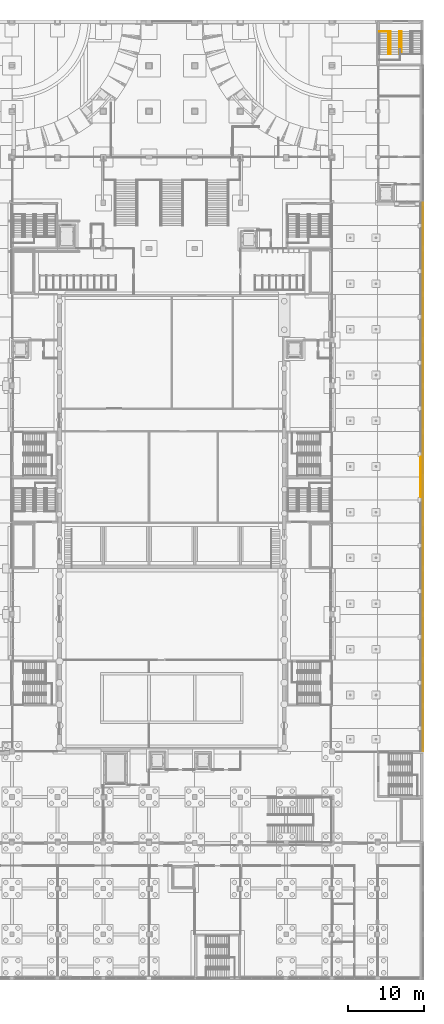
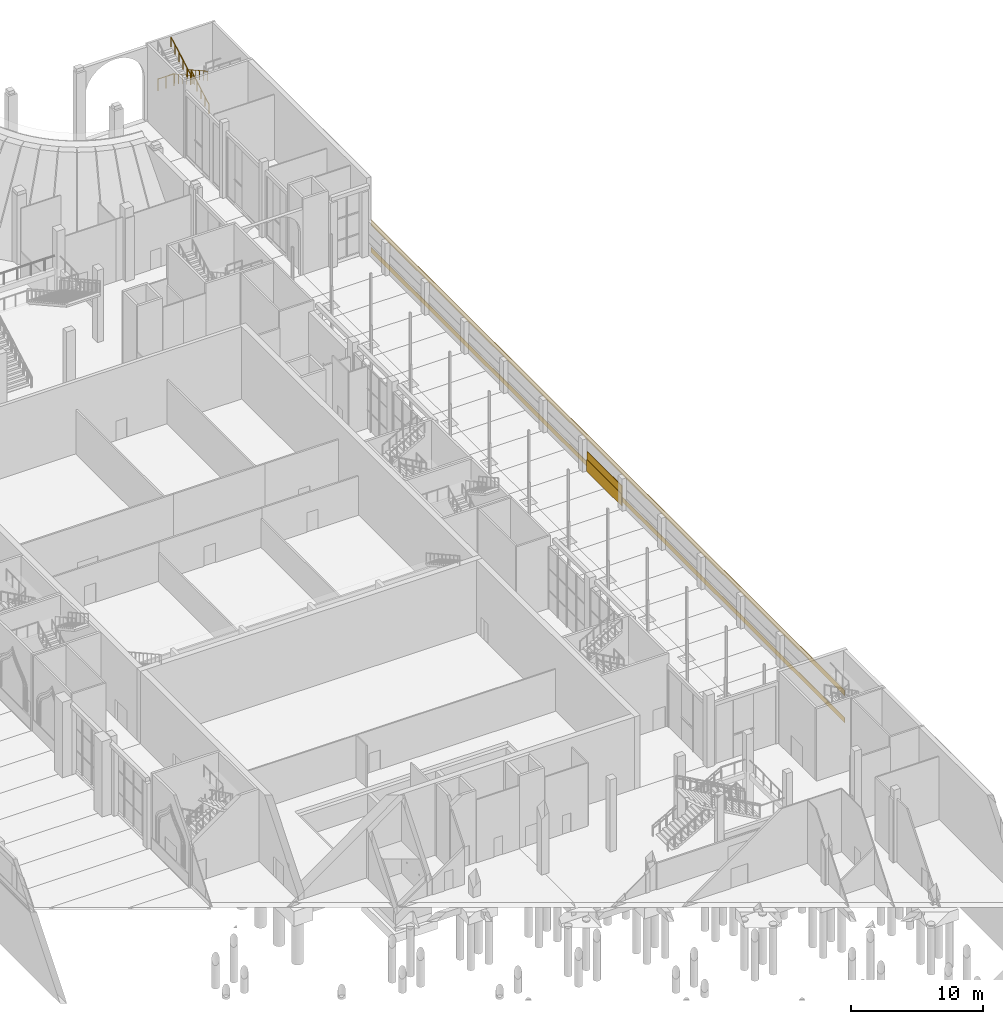
# One storey, part 89 of 95: 5 railings, 4 coverings.
"""IFC4 building model written with IfcOpenShell, lengths in metres."""

from ifc_helpers import new_model, si_unit, direction, frame, origin, origin_2d, place, context, subcontext, project, spatial, rectangle, circle, extrude, material, layer, layer_set, type_object, element, save


model = new_model("IFC4")

# Units and contexts
model_context = context("Model", 3, precision=1e-05, world=origin(), true_north=direction((0.0, 1.0)))
body_context = subcontext(model_context, "Body", "Model", "MODEL_VIEW")
ifc_project = project(units=[si_unit("LENGTHUNIT", "METRE"), si_unit("AREAUNIT", "SQUARE_METRE"), si_unit("VOLUMEUNIT", "CUBIC_METRE"), si_unit("PLANEANGLEUNIT", "RADIAN"), si_unit("MASSUNIT", "GRAM", prefix="KILO")], contexts=[model_context])

# Site, building, storey
site_placement = place(None, origin())
site = spatial("IfcSite", under=ifc_project, at=site_placement, CompositionType="ELEMENT")
building_placement = place(site_placement, origin())
building = spatial("IfcBuilding", under=site, at=building_placement, Name="Saffron Lane Theatres", CompositionType="ELEMENT")
storey_placement = place(building_placement, origin())
storey = spatial("IfcBuildingStorey", under=building, at=storey_placement, Name="L00", CompositionType="ELEMENT", Elevation=0.0)

# Coverings
ifc_material_1 = material(Name="Masonry sandstone", Category="masonry")
ifc_layer_1 = layer(ifc_material_1, 0.0400390625)
ifc_layer_set_1 = layer_set([ifc_layer_1], Name="Masonry sandstone")
covering_type_1 = type_object("IfcCoveringType", Name="EX-BANDING COURSE SANDSTONE 40", PredefinedType="CLADDING", material=ifc_layer_set_1)
covering_1_placement = place(storey_placement, frame((65.669921875, 66.0, 1.10009765625), z_axis=(0.0, 0.0, 1.0), x_axis=(0.0, 1.0, 0.0)))
element("IfcCovering", 1, at=covering_1_placement, inside=storey, type_object=covering_type_1, Name="Banding course L00", PredefinedType="CLADDING", context=body_context, shape_type="SweptSolid", body=[
    extrude(rectangle(XDim=5.300048828125, YDim=0.0400390625, at=origin_2d()), origin(), (0.0, 0.0, 1.0), 0.75),
])
ifc_material_2 = material(Name="Face brick cladding, pale buff", Category="masonry")
ifc_layer_2 = layer(ifc_material_2, 0.0400390625)
ifc_layer_set_2 = layer_set([ifc_layer_2], Name="Face brick cladding, pale buff")
covering_type_2 = type_object("IfcCoveringType", Name="EX-FACE BRICK SKIN PALE BUFF 40", PredefinedType="CLADDING", material=ifc_layer_set_2)
covering_2_placement = place(storey_placement, frame((65.9599609375, 66.0, 0.0), z_axis=(0.0, 0.0, 1.0), x_axis=(0.0, 1.0, 0.0)))
element("IfcCovering", 2, at=covering_2_placement, inside=storey, type_object=covering_type_2, Name="Face brick cladding, pale buff L00", PredefinedType="CLADDING", context=body_context, shape_type="SweptSolid", body=[
    extrude(rectangle(XDim=72.0, YDim=0.0400390625, at=origin_2d()), origin(), (0.0, 0.0, 1.0), 0.449951171875),
])
covering_3_placement = place(storey_placement, frame((65.9599609375, 66.0, 2.5), z_axis=(0.0, 0.0, 1.0), x_axis=(0.0, 1.0, 0.0)))
element("IfcCovering", 3, at=covering_3_placement, inside=storey, type_object=covering_type_2, Name="Face brick cladding, pale buff L00", PredefinedType="CLADDING", context=body_context, shape_type="SweptSolid", body=[
    extrude(rectangle(XDim=72.0, YDim=0.0400390625, at=origin_2d()), origin(), (0.0, 0.0, 1.0), 0.5),
])
ifc_material_3 = material(Name="Masonry sandstone", Category="masonry")
ifc_layer_3 = layer(ifc_material_3, 0.070068359375)
ifc_layer_set_3 = layer_set([ifc_layer_3], Name="Masonry sandstone")
covering_type_3 = type_object("IfcCoveringType", Name="EX-PLINTH COURSE SANDSTONE 70", PredefinedType="CLADDING", material=ifc_layer_set_3)
covering_4_placement = place(storey_placement, frame((65.655029296875, 66.0, 0.0), z_axis=(0.0, 0.0, 1.0), x_axis=(0.0, 1.0, 0.0)))
element("IfcCovering", 4, at=covering_4_placement, inside=storey, type_object=covering_type_3, Name="Plinth course L00", PredefinedType="CLADDING", context=body_context, shape_type="SweptSolid", body=[
    extrude(rectangle(XDim=5.300048828125, YDim=0.070068359375, at=origin_2d()), origin(), (0.0, 0.0, 1.0), 1.10009765625),
])

# Railings
ifc_material_4 = material(Name="Steel Grade 350", Category="steel")
railing_type_1 = type_object("IfcRailingType", Name="VC-GUARD 1100", PredefinedType="GUARDRAIL", material=ifc_material_4)
railing_1_placement = place(storey_placement, frame((61.64990234375, 124.5, 3.333251953125)))
element("IfcRailing", 5, at=railing_1_placement, inside=storey, type_object=railing_type_1, Name="East Wing Street Stair landing guard 1S2e", PredefinedType="GUARDRAIL", context=body_context, shape_type="SweptSolid", body=[
    extrude(circle(Radius=0.02392578125, at=origin_2d()), frame((0.0, 0.0, 1.076171875), z_axis=(-1.0, 0.0, 0.0), x_axis=(0.0, -1.0, 0.0)), (0.0, 0.0, 1.0), 1.419921875),
    extrude(circle(Radius=0.02099609375, at=origin_2d()), origin(), (0.0, 0.0, 1.0), 1.052001953125),
    extrude(circle(Radius=0.02099609375, at=origin_2d()), frame((-0.7099609375, 0.0, 0.0)), (0.0, 0.0, 1.0), 1.052001953125),
    extrude(circle(Radius=0.02099609375, at=origin_2d()), frame((-1.419921875, 0.0, 0.0)), (0.0, 0.0, 1.0), 1.052001953125),
])
ifc_material_5 = material(Name="Steel Grade 350", Category="steel")
railing_type_2 = type_object("IfcRailingType", Name="VC-HANDRAIL 900", PredefinedType="HANDRAIL", material=ifc_material_5)
railing_2_placement = place(storey_placement, frame((63.14990234375, 121.800048828125, 1.833251953125)))
element("IfcRailing", 6, at=railing_2_placement, inside=storey, type_object=railing_type_2, Name="East Wing Street Stair handrail 1.2b", PredefinedType="HANDRAIL", context=body_context, shape_type="SweptSolid", body=[
    extrude(circle(Radius=0.02392578125, at=origin_2d()), frame((0.0, 0.0, 0.8759765625), z_axis=(0.0, 0.874006220275, 0.485914732151), x_axis=(-1.0, 0.0, 0.0)), (0.0, 0.0, 1.0), 0.686279296875),
    extrude(circle(Radius=0.02392578125, at=origin_2d()), frame((0.0, 0.599853515625, 1.20947265625), z_axis=(0.0, 0.874241147926, 0.485491931212), x_axis=(-1.0, 0.0, 0.0)), (0.0, 0.0, 1.0), 0.6865234375),
    extrude(circle(Radius=0.02392578125, at=origin_2d()), frame((0.0, 1.199951171875, 1.54248046875), z_axis=(0.0, 0.874241147926, 0.485491931212), x_axis=(-1.0, 0.0, 0.0)), (0.0, 0.0, 1.0), 0.6865234375),
    extrude(circle(Radius=0.02392578125, at=origin_2d()), frame((0.0, 1.800048828125, 1.8759765625), z_axis=(0.0, 0.874006220275, 0.485914732151), x_axis=(-1.0, 0.0, 0.0)), (0.0, 0.0, 1.0), 0.686279296875),
    extrude(circle(Radius=0.02392578125, at=origin_2d()), frame((0.0, 2.39990234375, 2.20947265625), z_axis=(0.0, 0.87439209197, 0.485220021744), x_axis=(-1.0, 0.0, 0.0)), (0.0, 0.0, 1.0), 0.34326171875),
    extrude(circle(Radius=0.02099609375, at=origin_2d()), origin(), (0.0, 0.0, 1.0), 0.851806640625),
    extrude(circle(Radius=0.02099609375, at=origin_2d()), frame((0.0, 0.599853515625, 0.33349609375)), (0.0, 0.0, 1.0), 0.851806640625),
    extrude(circle(Radius=0.02099609375, at=origin_2d()), frame((0.0, 1.199951171875, 0.666748046875)), (0.0, 0.0, 1.0), 0.851806640625),
    extrude(circle(Radius=0.02099609375, at=origin_2d()), frame((0.0, 1.800048828125, 1.0)), (0.0, 0.0, 1.0), 0.851806640625),
    extrude(circle(Radius=0.02099609375, at=origin_2d()), frame((0.0, 2.39990234375, 1.33349609375)), (0.0, 0.0, 1.0), 0.851806640625),
    extrude(circle(Radius=0.02099609375, at=origin_2d()), frame((0.0, 2.699951171875, 1.5)), (0.0, 0.0, 1.0), 0.851806640625),
])
railing_3_placement = place(storey_placement, frame((62.85009765625, 124.5, 3.5)))
element("IfcRailing", 7, at=railing_3_placement, inside=storey, type_object=railing_type_2, Name="East Wing Street Stair handrail 1.3a", PredefinedType="HANDRAIL", context=body_context, shape_type="SweptSolid", body=[
    extrude(circle(Radius=0.02392578125, at=origin_2d()), frame((0.0, 0.0, 0.8759765625), z_axis=(0.0, -0.874241147926, 0.485491931212), x_axis=(1.0, 0.0, 0.0)), (0.0, 0.0, 1.0), 0.6865234375),
    extrude(circle(Radius=0.02392578125, at=origin_2d()), frame((0.0, -0.60009765625, 1.208984375), z_axis=(0.0, -0.874006220275, 0.485914732151), x_axis=(1.0, 0.0, 0.0)), (0.0, 0.0, 1.0), 0.686279296875),
    extrude(circle(Radius=0.02392578125, at=origin_2d()), frame((0.0, -1.199951171875, 1.54248046875), z_axis=(0.0, -0.874241147926, 0.485491931212), x_axis=(1.0, 0.0, 0.0)), (0.0, 0.0, 1.0), 0.6865234375),
    extrude(circle(Radius=0.02392578125, at=origin_2d()), frame((0.0, -1.800048828125, 1.8759765625), z_axis=(0.0, -0.874157276122, 0.485642931179), x_axis=(1.0, 0.0, 0.0)), (0.0, 0.0, 1.0), 0.686279296875),
    extrude(circle(Radius=0.02392578125, at=origin_2d()), frame((0.0, -2.39990234375, 2.208984375), z_axis=(0.0, -0.874090171491, 0.485763699861), x_axis=(1.0, 0.0, 0.0)), (0.0, 0.0, 1.0), 0.6865234375),
    extrude(circle(Radius=0.02099609375, at=origin_2d()), origin(), (0.0, 0.0, 1.0), 0.851806640625),
    extrude(circle(Radius=0.02099609375, at=origin_2d()), frame((0.0, -0.60009765625, 0.333251953125)), (0.0, 0.0, 1.0), 0.851806640625),
    extrude(circle(Radius=0.02099609375, at=origin_2d()), frame((0.0, -1.199951171875, 0.666748046875)), (0.0, 0.0, 1.0), 0.851806640625),
    extrude(circle(Radius=0.02099609375, at=origin_2d()), frame((0.0, -1.800048828125, 1.0)), (0.0, 0.0, 1.0), 0.851806640625),
    extrude(circle(Radius=0.02099609375, at=origin_2d()), frame((0.0, -2.39990234375, 1.333251953125)), (0.0, 0.0, 1.0), 0.851806640625),
    extrude(circle(Radius=0.02099609375, at=origin_2d()), frame((0.0, -3.0, 1.666748046875)), (0.0, 0.0, 1.0), 0.851806640625),
])
railing_4_placement = place(storey_placement, frame((61.699951171875, 124.5, 3.5)))
element("IfcRailing", 8, at=railing_4_placement, inside=storey, type_object=railing_type_2, Name="East Wing Street Stair handrail 1.3b", PredefinedType="HANDRAIL", context=body_context, shape_type="SweptSolid", body=[
    extrude(circle(Radius=0.02392578125, at=origin_2d()), frame((0.0, 0.0, 0.8759765625), z_axis=(0.0, -0.874241147926, 0.485491931212), x_axis=(1.0, 0.0, 0.0)), (0.0, 0.0, 1.0), 0.6865234375),
    extrude(circle(Radius=0.02392578125, at=origin_2d()), frame((0.0, -0.60009765625, 1.208984375), z_axis=(0.0, -0.874006220275, 0.485914732151), x_axis=(1.0, 0.0, 0.0)), (0.0, 0.0, 1.0), 0.686279296875),
    extrude(circle(Radius=0.02392578125, at=origin_2d()), frame((0.0, -1.199951171875, 1.54248046875), z_axis=(0.0, -0.874241147926, 0.485491931212), x_axis=(1.0, 0.0, 0.0)), (0.0, 0.0, 1.0), 0.6865234375),
    extrude(circle(Radius=0.02392578125, at=origin_2d()), frame((0.0, -1.800048828125, 1.8759765625), z_axis=(0.0, -0.874157276122, 0.485642931179), x_axis=(1.0, 0.0, 0.0)), (0.0, 0.0, 1.0), 0.686279296875),
    extrude(circle(Radius=0.02392578125, at=origin_2d()), frame((0.0, -2.39990234375, 2.208984375), z_axis=(0.0, -0.874090171491, 0.485763699861), x_axis=(1.0, 0.0, 0.0)), (0.0, 0.0, 1.0), 0.6865234375),
    extrude(circle(Radius=0.02099609375, at=origin_2d()), origin(), (0.0, 0.0, 1.0), 0.851806640625),
    extrude(circle(Radius=0.02099609375, at=origin_2d()), frame((0.0, -0.60009765625, 0.333251953125)), (0.0, 0.0, 1.0), 0.851806640625),
    extrude(circle(Radius=0.02099609375, at=origin_2d()), frame((0.0, -1.199951171875, 0.666748046875)), (0.0, 0.0, 1.0), 0.851806640625),
    extrude(circle(Radius=0.02099609375, at=origin_2d()), frame((0.0, -1.800048828125, 1.0)), (0.0, 0.0, 1.0), 0.851806640625),
    extrude(circle(Radius=0.02099609375, at=origin_2d()), frame((0.0, -2.39990234375, 1.333251953125)), (0.0, 0.0, 1.0), 0.851806640625),
    extrude(circle(Radius=0.02099609375, at=origin_2d()), frame((0.0, -3.0, 1.666748046875)), (0.0, 0.0, 1.0), 0.851806640625),
])
railing_5_placement = place(storey_placement, frame((61.39990234375, 121.5, 5.333251953125)))
element("IfcRailing", 9, at=railing_5_placement, inside=storey, type_object=railing_type_2, Name="East Wing Street Stair handrail 1.4a", PredefinedType="HANDRAIL", context=body_context, shape_type="SweptSolid", body=[
    extrude(circle(Radius=0.02392578125, at=origin_2d()), frame((0.0, 0.0, 0.8759765625), z_axis=(0.0, 0.874090171491, 0.485763699861), x_axis=(-1.0, 0.0, 0.0)), (0.0, 0.0, 1.0), 0.6865234375),
    extrude(circle(Radius=0.02392578125, at=origin_2d()), frame((0.0, 0.60009765625, 1.20947265625), z_axis=(0.0, 0.874157276122, 0.485642931179), x_axis=(-1.0, 0.0, 0.0)), (0.0, 0.0, 1.0), 0.686279296875),
    extrude(circle(Radius=0.02392578125, at=origin_2d()), frame((0.0, 1.199951171875, 1.54248046875), z_axis=(0.0, 0.874241147926, 0.485491931212), x_axis=(-1.0, 0.0, 0.0)), (0.0, 0.0, 1.0), 0.6865234375),
    extrude(circle(Radius=0.02392578125, at=origin_2d()), frame((0.0, 1.800048828125, 1.8759765625), z_axis=(0.0, 0.874006220275, 0.485914732151), x_axis=(-1.0, 0.0, 0.0)), (0.0, 0.0, 1.0), 0.686279296875),
    extrude(circle(Radius=0.02392578125, at=origin_2d()), frame((0.0, 2.39990234375, 2.20947265625), z_axis=(0.0, 0.874241147926, 0.485491931212), x_axis=(-1.0, 0.0, 0.0)), (0.0, 0.0, 1.0), 0.6865234375),
    extrude(circle(Radius=0.02099609375, at=origin_2d()), origin(), (0.0, 0.0, 1.0), 0.851806640625),
    extrude(circle(Radius=0.02099609375, at=origin_2d()), frame((0.0, 0.60009765625, 0.33349609375)), (0.0, 0.0, 1.0), 0.851806640625),
    extrude(circle(Radius=0.02099609375, at=origin_2d()), frame((0.0, 1.199951171875, 0.666748046875)), (0.0, 0.0, 1.0), 0.851806640625),
    extrude(circle(Radius=0.02099609375, at=origin_2d()), frame((0.0, 1.800048828125, 1.0)), (0.0, 0.0, 1.0), 0.851806640625),
    extrude(circle(Radius=0.02099609375, at=origin_2d()), frame((0.0, 2.39990234375, 1.33349609375)), (0.0, 0.0, 1.0), 0.851806640625),
    extrude(circle(Radius=0.02099609375, at=origin_2d()), frame((0.0, 3.0, 1.666748046875)), (0.0, 0.0, 1.0), 0.851806640625),
])

save(model, "model.ifc")
